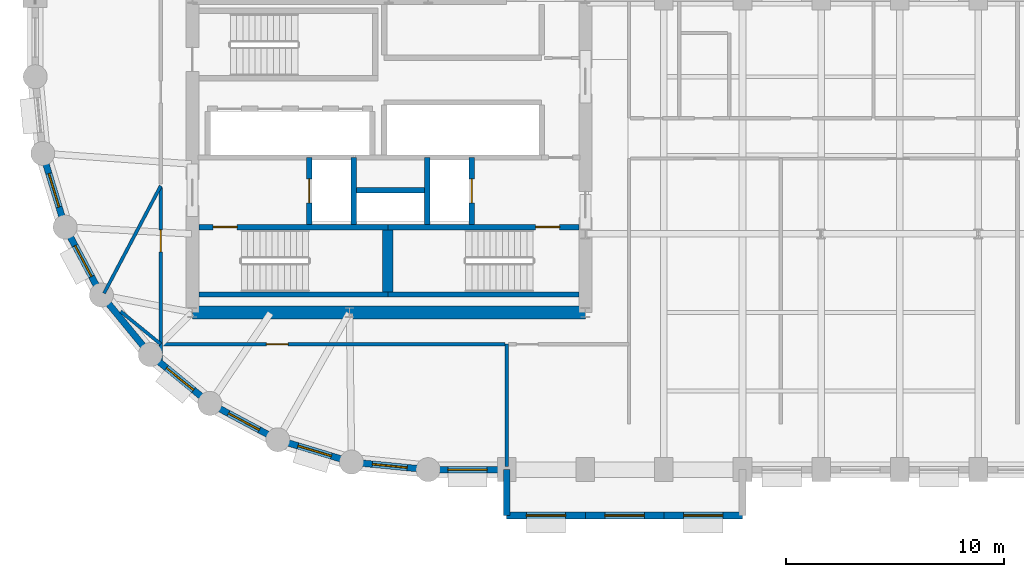
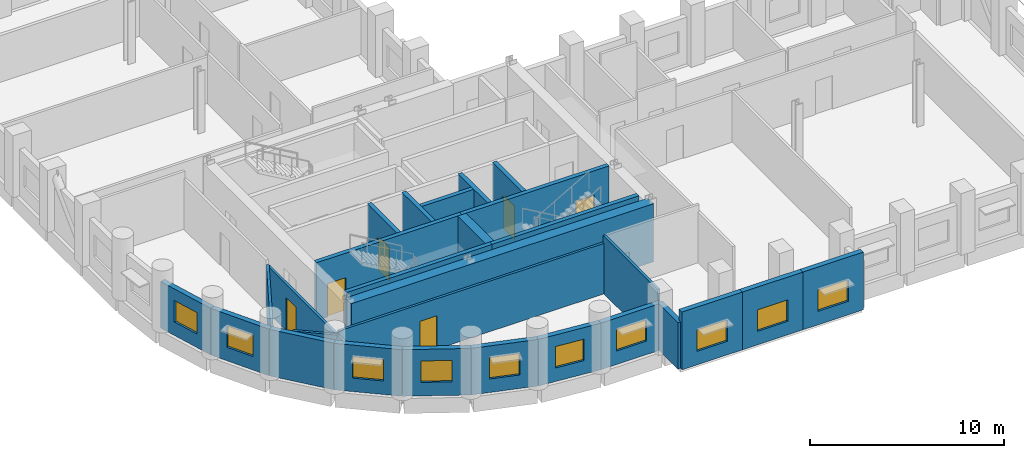
# One storey, part 3 of 10: 28 walls, 10 windows, 6 doors, 16 openings.
"""IFC4 building model written with IfcOpenShell, lengths in metres."""

from ifc_helpers import new_model, si_unit, direction, frame, frame_2d, origin, place, context, subcontext, project, spatial, rectangle, extrude, material, layer, layer_set, type_object, element, fill, save


model = new_model("IFC4")

# Units and contexts
model_context = context("Model", 3, precision=1e-05, world=origin(), true_north=direction((0.0, 1.0)))
body_context = subcontext(model_context, "Body", "Model", "MODEL_VIEW")
ifc_project = project(units=[si_unit("LENGTHUNIT", "METRE"), si_unit("AREAUNIT", "SQUARE_METRE"), si_unit("VOLUMEUNIT", "CUBIC_METRE"), si_unit("PLANEANGLEUNIT", "RADIAN"), si_unit("MASSUNIT", "GRAM", prefix="KILO")], contexts=[model_context])

# Site, building, storey
site_placement = place(None, origin())
site = spatial("IfcSite", under=ifc_project, at=site_placement, CompositionType="ELEMENT")
building_placement = place(site_placement, origin())
building = spatial("IfcBuilding", under=site, at=building_placement, Name="Solnavia Interchange Tower", CompositionType="ELEMENT")
storey_placement = place(building_placement, frame((0.0, 0.0, 103.5)))
storey = spatial("IfcBuildingStorey", under=building, at=storey_placement, Name="L25", CompositionType="ELEMENT", Elevation=103.5)

# Wall, opening, window
ifc_material_1 = material(Name="Concrete C40/50", Category="concrete")
ifc_layer_1 = layer(ifc_material_1, 0.300048828125)
ifc_layer_set_1 = layer_set([ifc_layer_1], Name="Concrete C40/50")
wall_type_1 = type_object("IfcWallType", Name="Wall-ExtSpandrel-300", PredefinedType="STANDARD", material=ifc_layer_set_1)
wall_1_placement = place(storey_placement, frame((28.800048828125, 3.60009765625, 0.0), z_axis=(0.0, 0.0, 1.0), x_axis=(-1.0, 0.0, 0.0)))
wall_1 = element("IfcWall", 1, at=wall_1_placement, inside=storey, type_object=wall_type_1, Name="EXW-L25-01 Exterior precast spandrel wall", PredefinedType="STANDARD", context=body_context, shape_type="SweptSolid", body=[
    extrude(rectangle(XDim=3.60009765625, YDim=0.300048828125, at=frame_2d((1.800048828125, 0.0))), origin(), (0.0, 0.0, 1.0), 2.929931640625),
])
opening_1_placement = place(wall_1_placement, frame((0.89990234375, 0.0, 0.85009765625)))
opening_1 = element("IfcOpeningElement", 2, at=opening_1_placement, cuts=wall_1, Name="Opening WIN-02", PredefinedType="OPENING", context=body_context, shape_type="SweptSolid", body=[
    extrude(rectangle(XDim=1.800048828125, YDim=1.35009765625, at=frame_2d((0.89990234375, 0.675048828125))), frame((0.0, 0.16015625, 0.0), z_axis=(0.0, -1.0, 0.0), x_axis=(1.0, 0.0, 0.0)), (0.0, 0.0, 1.0), 0.320068359375),
])
ifc_material_2 = material(Name="Thermal-Break Aluminium & Low-E Glass", Category="aluminium")
window_type_1 = type_object("IfcWindowType", Name="Window-Ribbon-1800x1350", PartitioningType="SINGLE_PANEL", PredefinedType="WINDOW", material=ifc_material_2)
window_1_placement = place(opening_1_placement, origin())
window_1 = element("IfcWindow", 3, at=window_1_placement, inside=storey, type_object=window_type_1, Name="WIN-L25-01 Facade ribbon window", OverallHeight=1.35009765625, OverallWidth=1.800048828125, PartitioningType="SINGLE_PANEL", PredefinedType="WINDOW", context=body_context, shape_type="SweptSolid", body=[
    extrude(rectangle(XDim=1.800048828125, YDim=1.35009765625, at=frame_2d((0.89990234375, 0.675048828125))), frame((0.0, 0.030029296875, 0.0), z_axis=(0.0, -1.0, 0.0), x_axis=(1.0, 0.0, 0.0)), (0.0, 0.0, 1.0), 0.06005859375),
])
fill(opening_1, window_1)

# Wall
wall_2_placement = place(storey_placement, frame((28.800048828125, 3.60009765625, 0.0), z_axis=(0.0, 0.0, 1.0), x_axis=(0.0, -1.0, 0.0)))
element("IfcWall", 4, at=wall_2_placement, inside=storey, type_object=wall_type_1, Name="EXW-L25-02 Exterior precast spandrel wall", PredefinedType="STANDARD", context=body_context, shape_type="SweptSolid", body=[
    extrude(rectangle(XDim=2.10009765625, YDim=0.300048828125, at=frame_2d((1.050048828125, 0.0))), origin(), (0.0, 0.0, 1.0), 2.929931640625),
])

# Wall, opening, window
wall_3_placement = place(storey_placement, frame((32.39990234375, 1.5, 0.0), z_axis=(0.0, 0.0, 1.0), x_axis=(-1.0, 0.0, 0.0)))
wall_3 = element("IfcWall", 5, at=wall_3_placement, inside=storey, type_object=wall_type_1, Name="EXW-L25-03 Exterior precast spandrel wall", PredefinedType="STANDARD", context=body_context, shape_type="SweptSolid", body=[
    extrude(rectangle(XDim=3.599853515625, YDim=0.300048828125, at=frame_2d((1.7998046875, 0.0))), origin(), (0.0, 0.0, 1.0), 3.635009765625),
])
opening_2_placement = place(wall_3_placement, frame((0.89990234375, 0.0, 0.85009765625)))
opening_2 = element("IfcOpeningElement", 6, at=opening_2_placement, cuts=wall_3, Name="Opening WIN-02", PredefinedType="OPENING", context=body_context, shape_type="SweptSolid", body=[
    extrude(rectangle(XDim=1.800048828125, YDim=1.35009765625, at=frame_2d((0.89990234375, 0.675048828125))), frame((0.0, 0.16015625, 0.0), z_axis=(0.0, -1.0, 0.0), x_axis=(1.0, 0.0, 0.0)), (0.0, 0.0, 1.0), 0.320068359375),
])
window_2_placement = place(opening_2_placement, origin())
window_2 = element("IfcWindow", 7, at=window_2_placement, inside=storey, type_object=window_type_1, Name="WIN-L25-03 Facade ribbon window", OverallHeight=1.35009765625, OverallWidth=1.800048828125, PartitioningType="SINGLE_PANEL", PredefinedType="WINDOW", context=body_context, shape_type="SweptSolid", body=[
    extrude(rectangle(XDim=1.800048828125, YDim=1.35009765625, at=frame_2d((0.89990234375, 0.675048828125))), frame((0.0, 0.030029296875, 0.0), z_axis=(0.0, -1.0, 0.0), x_axis=(1.0, 0.0, 0.0)), (0.0, 0.0, 1.0), 0.06005859375),
])
fill(opening_2, window_2)

wall_4_placement = place(storey_placement, frame((36.0, 1.5, 0.0), z_axis=(0.0, 0.0, 1.0), x_axis=(-1.0, 0.0, 0.0)))
wall_4 = element("IfcWall", 8, at=wall_4_placement, inside=storey, type_object=wall_type_1, Name="EXW-L25-04 Exterior precast spandrel wall", PredefinedType="STANDARD", context=body_context, shape_type="SweptSolid", body=[
    extrude(rectangle(XDim=3.60009765625, YDim=0.300048828125, at=frame_2d((1.800048828125, 0.0))), origin(), (0.0, 0.0, 1.0), 3.635009765625),
])
opening_3_placement = place(wall_4_placement, frame((0.89990234375, 0.0, 0.85009765625)))
opening_3 = element("IfcOpeningElement", 9, at=opening_3_placement, cuts=wall_4, Name="Opening WIN-02", PredefinedType="OPENING", context=body_context, shape_type="SweptSolid", body=[
    extrude(rectangle(XDim=1.800048828125, YDim=1.35009765625, at=frame_2d((0.89990234375, 0.675048828125))), frame((0.0, 0.16015625, 0.0), z_axis=(0.0, -1.0, 0.0), x_axis=(1.0, 0.0, 0.0)), (0.0, 0.0, 1.0), 0.320068359375),
])
window_3_placement = place(opening_3_placement, origin())
window_3 = element("IfcWindow", 10, at=window_3_placement, inside=storey, type_object=window_type_1, Name="WIN-L25-04 Facade ribbon window", OverallHeight=1.35009765625, OverallWidth=1.800048828125, PartitioningType="SINGLE_PANEL", PredefinedType="WINDOW", context=body_context, shape_type="SweptSolid", body=[
    extrude(rectangle(XDim=1.800048828125, YDim=1.35009765625, at=frame_2d((0.89990234375, 0.675048828125))), frame((0.0, 0.030029296875, 0.0), z_axis=(0.0, -1.0, 0.0), x_axis=(1.0, 0.0, 0.0)), (0.0, 0.0, 1.0), 0.06005859375),
])
fill(opening_3, window_3)

wall_5_placement = place(storey_placement, frame((39.60009765625, 1.5, 0.0), z_axis=(0.0, 0.0, 1.0), x_axis=(-1.0, 0.0, 0.0)))
wall_5 = element("IfcWall", 11, at=wall_5_placement, inside=storey, type_object=wall_type_1, Name="EXW-L25-05 Exterior precast spandrel wall", PredefinedType="STANDARD", context=body_context, shape_type="SweptSolid", body=[
    extrude(rectangle(XDim=3.60009765625, YDim=0.300048828125, at=frame_2d((1.800048828125, 0.0))), origin(), (0.0, 0.0, 1.0), 3.635009765625),
])
opening_4_placement = place(wall_5_placement, frame((0.89990234375, 0.0, 0.85009765625)))
opening_4 = element("IfcOpeningElement", 12, at=opening_4_placement, cuts=wall_5, Name="Opening WIN-02", PredefinedType="OPENING", context=body_context, shape_type="SweptSolid", body=[
    extrude(rectangle(XDim=1.800048828125, YDim=1.35009765625, at=frame_2d((0.89990234375, 0.675048828125))), frame((0.0, 0.16015625, 0.0), z_axis=(0.0, -1.0, 0.0), x_axis=(1.0, 0.0, 0.0)), (0.0, 0.0, 1.0), 0.320068359375),
])
window_4_placement = place(opening_4_placement, origin())
window_4 = element("IfcWindow", 13, at=window_4_placement, inside=storey, type_object=window_type_1, Name="WIN-L25-05 Facade ribbon window", OverallHeight=1.35009765625, OverallWidth=1.800048828125, PartitioningType="SINGLE_PANEL", PredefinedType="WINDOW", context=body_context, shape_type="SweptSolid", body=[
    extrude(rectangle(XDim=1.800048828125, YDim=1.35009765625, at=frame_2d((0.89990234375, 0.675048828125))), frame((0.0, 0.030029296875, 0.0), z_axis=(0.0, -1.0, 0.0), x_axis=(1.0, 0.0, 0.0)), (0.0, 0.0, 1.0), 0.06005859375),
])
fill(opening_4, window_4)

wall_6_placement = place(storey_placement, frame((8.570068359375, 14.7119140625, 0.0), z_axis=(0.0, 0.0, 1.0), x_axis=(-0.290305086481, 0.956934144423, 0.0)))
wall_6 = element("IfcWall", 14, at=wall_6_placement, inside=storey, type_object=wall_type_1, Name="EXW-L25-54 Exterior precast spandrel wall", PredefinedType="STANDARD", context=body_context, shape_type="SweptSolid", body=[
    extrude(rectangle(XDim=3.52783203125, YDim=0.300048828125, at=frame_2d((1.763916015625, 0.0))), origin(), (0.0, 0.0, 1.0), 2.929931640625),
])
opening_5_placement = place(wall_6_placement, frame((0.964111328125, 0.0, 0.85009765625)))
opening_5 = element("IfcOpeningElement", 15, at=opening_5_placement, cuts=wall_6, Name="Opening WIN-04", PredefinedType="OPENING", context=body_context, shape_type="SweptSolid", body=[
    extrude(rectangle(XDim=1.60009765625, YDim=1.35009765625, at=frame_2d((0.800048828125, 0.675048828125))), frame((0.0, 0.16015625, 0.0), z_axis=(0.0, -1.0, 0.0), x_axis=(1.0, 0.0, 0.0)), (0.0, 0.0, 1.0), 0.320068359375),
])
window_type_2 = type_object("IfcWindowType", Name="Window-Drum-1600x1350", PartitioningType="SINGLE_PANEL", PredefinedType="WINDOW", material=ifc_material_2)
window_5_placement = place(opening_5_placement, origin())
window_5 = element("IfcWindow", 16, at=window_5_placement, inside=storey, type_object=window_type_2, Name="WIN-L25-54 Facade ribbon window", OverallHeight=1.35009765625, OverallWidth=1.60009765625, PartitioningType="SINGLE_PANEL", PredefinedType="WINDOW", context=body_context, shape_type="SweptSolid", body=[
    extrude(rectangle(XDim=1.60009765625, YDim=1.35009765625, at=frame_2d((0.800048828125, 0.675048828125))), frame((0.0, 0.030029296875, 0.0), z_axis=(0.0, -1.0, 0.0), x_axis=(1.0, 0.0, 0.0)), (0.0, 0.0, 1.0), 0.06005859375),
])
fill(opening_5, window_5)

wall_7_placement = place(storey_placement, frame((10.23388671875, 11.60009765625, 0.0), z_axis=(0.0, 0.0, 1.0), x_axis=(-0.47151087309, 0.881860247748, 0.0)))
wall_7 = element("IfcWall", 17, at=wall_7_placement, inside=storey, type_object=wall_type_1, Name="EXW-L25-55 Exterior precast spandrel wall", PredefinedType="STANDARD", context=body_context, shape_type="SweptSolid", body=[
    extrude(rectangle(XDim=3.52880859375, YDim=0.300048828125, at=frame_2d((1.764404296875, 0.0))), origin(), (0.0, 0.0, 1.0), 2.929931640625),
])
opening_6_placement = place(wall_7_placement, frame((0.964111328125, 0.0, 0.85009765625)))
opening_6 = element("IfcOpeningElement", 18, at=opening_6_placement, cuts=wall_7, Name="Opening WIN-04", PredefinedType="OPENING", context=body_context, shape_type="SweptSolid", body=[
    extrude(rectangle(XDim=1.60009765625, YDim=1.35009765625, at=frame_2d((0.800048828125, 0.675048828125))), frame((0.0, 0.16015625, 0.0), z_axis=(0.0, -1.0, 0.0), x_axis=(1.0, 0.0, 0.0)), (0.0, 0.0, 1.0), 0.320068359375),
])
window_6_placement = place(opening_6_placement, origin())
window_6 = element("IfcWindow", 19, at=window_6_placement, inside=storey, type_object=window_type_2, Name="WIN-L25-55 Facade ribbon window", OverallHeight=1.35009765625, OverallWidth=1.60009765625, PartitioningType="SINGLE_PANEL", PredefinedType="WINDOW", context=body_context, shape_type="SweptSolid", body=[
    extrude(rectangle(XDim=1.60009765625, YDim=1.35009765625, at=frame_2d((0.800048828125, 0.675048828125))), frame((0.0, 0.030029296875, 0.0), z_axis=(0.0, -1.0, 0.0), x_axis=(1.0, 0.0, 0.0)), (0.0, 0.0, 1.0), 0.06005859375),
])
fill(opening_6, window_6)

# Wall
wall_8_placement = place(storey_placement, frame((12.471923828125, 8.8720703125, 0.0), z_axis=(0.0, 0.0, 1.0), x_axis=(-0.634258295121, 0.773121216285, 0.0)))
element("IfcWall", 20, at=wall_8_placement, inside=storey, type_object=wall_type_1, Name="EXW-L25-56 Exterior precast spandrel wall", PredefinedType="STANDARD", context=body_context, shape_type="SweptSolid", body=[
    extrude(rectangle(XDim=3.528564453125, YDim=0.300048828125, at=frame_2d((1.76416015625, 0.0))), origin(), (0.0, 0.0, 1.0), 2.929931640625),
])

# Wall, opening, window
wall_9_placement = place(storey_placement, frame((15.199951171875, 6.634033203125, 0.0), z_axis=(0.0, 0.0, 1.0), x_axis=(-0.773121216285, 0.634258295121, 0.0)))
wall_9 = element("IfcWall", 21, at=wall_9_placement, inside=storey, type_object=wall_type_1, Name="EXW-L25-57 Exterior precast spandrel wall", PredefinedType="STANDARD", context=body_context, shape_type="SweptSolid", body=[
    extrude(rectangle(XDim=3.528564453125, YDim=0.300048828125, at=frame_2d((1.76416015625, 0.0))), origin(), (0.0, 0.0, 1.0), 2.929931640625),
])
opening_7_placement = place(wall_9_placement, frame((0.964111328125, 0.0, 0.85009765625)))
opening_7 = element("IfcOpeningElement", 22, at=opening_7_placement, cuts=wall_9, Name="Opening WIN-04", PredefinedType="OPENING", context=body_context, shape_type="SweptSolid", body=[
    extrude(rectangle(XDim=1.60009765625, YDim=1.35009765625, at=frame_2d((0.800048828125, 0.675048828125))), frame((0.0, 0.16015625, 0.0), z_axis=(0.0, -1.0, 0.0), x_axis=(1.0, 0.0, 0.0)), (0.0, 0.0, 1.0), 0.320068359375),
])
window_7_placement = place(opening_7_placement, origin())
window_7 = element("IfcWindow", 23, at=window_7_placement, inside=storey, type_object=window_type_2, Name="WIN-L25-57 Facade ribbon window", OverallHeight=1.35009765625, OverallWidth=1.60009765625, PartitioningType="SINGLE_PANEL", PredefinedType="WINDOW", context=body_context, shape_type="SweptSolid", body=[
    extrude(rectangle(XDim=1.60009765625, YDim=1.35009765625, at=frame_2d((0.800048828125, 0.675048828125))), frame((0.0, 0.030029296875, 0.0), z_axis=(0.0, -1.0, 0.0), x_axis=(1.0, 0.0, 0.0)), (0.0, 0.0, 1.0), 0.06005859375),
])
fill(opening_7, window_7)

wall_10_placement = place(storey_placement, frame((18.31201171875, 4.969970703125, 0.0), z_axis=(0.0, 0.0, 1.0), x_axis=(-0.881846862014, 0.471535907389, 0.0)))
wall_10 = element("IfcWall", 24, at=wall_10_placement, inside=storey, type_object=wall_type_1, Name="EXW-L25-58 Exterior precast spandrel wall", PredefinedType="STANDARD", context=body_context, shape_type="SweptSolid", body=[
    extrude(rectangle(XDim=3.529052734375, YDim=0.300048828125, at=frame_2d((1.7646484375, 0.0))), origin(), (0.0, 0.0, 1.0), 2.929931640625),
])
opening_8_placement = place(wall_10_placement, frame((0.964111328125, 0.0, 0.85009765625)))
opening_8 = element("IfcOpeningElement", 25, at=opening_8_placement, cuts=wall_10, Name="Opening WIN-04", PredefinedType="OPENING", context=body_context, shape_type="SweptSolid", body=[
    extrude(rectangle(XDim=1.60009765625, YDim=1.35009765625, at=frame_2d((0.800048828125, 0.675048828125))), frame((0.0, 0.16015625, 0.0), z_axis=(0.0, -1.0, 0.0), x_axis=(1.0, 0.0, 0.0)), (0.0, 0.0, 1.0), 0.320068359375),
])
window_8_placement = place(opening_8_placement, origin())
window_8 = element("IfcWindow", 26, at=window_8_placement, inside=storey, type_object=window_type_2, Name="WIN-L25-58 Facade ribbon window", OverallHeight=1.35009765625, OverallWidth=1.60009765625, PartitioningType="SINGLE_PANEL", PredefinedType="WINDOW", context=body_context, shape_type="SweptSolid", body=[
    extrude(rectangle(XDim=1.60009765625, YDim=1.35009765625, at=frame_2d((0.800048828125, 0.675048828125))), frame((0.0, 0.030029296875, 0.0), z_axis=(0.0, -1.0, 0.0), x_axis=(1.0, 0.0, 0.0)), (0.0, 0.0, 1.0), 0.06005859375),
])
fill(opening_8, window_8)

wall_11_placement = place(storey_placement, frame((21.68798828125, 3.946044921875, 0.0), z_axis=(0.0, 0.0, 1.0), x_axis=(-0.956953367403, 0.290241714123, 0.0)))
wall_11 = element("IfcWall", 27, at=wall_11_placement, inside=storey, type_object=wall_type_1, Name="EXW-L25-59 Exterior precast spandrel wall", PredefinedType="STANDARD", context=body_context, shape_type="SweptSolid", body=[
    extrude(rectangle(XDim=3.52783203125, YDim=0.300048828125, at=frame_2d((1.763916015625, 0.0))), origin(), (0.0, 0.0, 1.0), 2.929931640625),
])
opening_9_placement = place(wall_11_placement, frame((0.964111328125, 0.0, 0.85009765625)))
opening_9 = element("IfcOpeningElement", 28, at=opening_9_placement, cuts=wall_11, Name="Opening WIN-04", PredefinedType="OPENING", context=body_context, shape_type="SweptSolid", body=[
    extrude(rectangle(XDim=1.60009765625, YDim=1.35009765625, at=frame_2d((0.800048828125, 0.675048828125))), frame((0.0, 0.16015625, 0.0), z_axis=(0.0, -1.0, 0.0), x_axis=(1.0, 0.0, 0.0)), (0.0, 0.0, 1.0), 0.320068359375),
])
window_9_placement = place(opening_9_placement, origin())
window_9 = element("IfcWindow", 29, at=window_9_placement, inside=storey, type_object=window_type_2, Name="WIN-L25-59 Facade ribbon window", OverallHeight=1.35009765625, OverallWidth=1.60009765625, PartitioningType="SINGLE_PANEL", PredefinedType="WINDOW", context=body_context, shape_type="SweptSolid", body=[
    extrude(rectangle(XDim=1.60009765625, YDim=1.35009765625, at=frame_2d((0.800048828125, 0.675048828125))), frame((0.0, 0.030029296875, 0.0), z_axis=(0.0, -1.0, 0.0), x_axis=(1.0, 0.0, 0.0)), (0.0, 0.0, 1.0), 0.06005859375),
])
fill(opening_9, window_9)

wall_12_placement = place(storey_placement, frame((25.199951171875, 3.60009765625, 0.0), z_axis=(0.0, 0.0, 1.0), x_axis=(-0.995183369056, 0.098030923459, 0.0)))
wall_12 = element("IfcWall", 30, at=wall_12_placement, inside=storey, type_object=wall_type_1, Name="EXW-L25-60 Exterior precast spandrel wall", PredefinedType="STANDARD", context=body_context, shape_type="SweptSolid", body=[
    extrude(rectangle(XDim=3.529052734375, YDim=0.300048828125, at=frame_2d((1.7646484375, 0.0))), origin(), (0.0, 0.0, 1.0), 2.929931640625),
])
opening_10_placement = place(wall_12_placement, frame((0.965087890625, 0.0, 0.85009765625)))
opening_10 = element("IfcOpeningElement", 31, at=opening_10_placement, cuts=wall_12, Name="Opening WIN-04", PredefinedType="OPENING", context=body_context, shape_type="SweptSolid", body=[
    extrude(rectangle(XDim=1.60009765625, YDim=1.35009765625, at=frame_2d((0.800048828125, 0.675048828125))), frame((0.0, 0.16015625, 0.0), z_axis=(0.0, -1.0, 0.0), x_axis=(1.0, 0.0, 0.0)), (0.0, 0.0, 1.0), 0.320068359375),
])
window_10_placement = place(opening_10_placement, origin())
window_10 = element("IfcWindow", 32, at=window_10_placement, inside=storey, type_object=window_type_2, Name="WIN-L25-60 Facade ribbon window", OverallHeight=1.35009765625, OverallWidth=1.60009765625, PartitioningType="SINGLE_PANEL", PredefinedType="WINDOW", context=body_context, shape_type="SweptSolid", body=[
    extrude(rectangle(XDim=1.60009765625, YDim=1.35009765625, at=frame_2d((0.800048828125, 0.675048828125))), frame((0.0, 0.030029296875, 0.0), z_axis=(0.0, -1.0, 0.0), x_axis=(1.0, 0.0, 0.0)), (0.0, 0.0, 1.0), 0.06005859375),
])
fill(opening_10, window_10)

# Walls
ifc_material_3 = material(Name="Gypsum Plasterboard & Steel Stud", Category="steel")
ifc_layer_2 = layer(ifc_material_3, 0.14990234375)
ifc_layer_set_2 = layer_set([ifc_layer_2], Name="Gypsum Plasterboard & Steel Stud")
wall_type_2 = type_object("IfcWallType", Name="Wall-Partition-150", PredefinedType="PARTITIONING", material=ifc_layer_set_2)
wall_13_placement = place(storey_placement, frame((28.800048828125, 9.35009765625, 0.0), z_axis=(0.0, 0.0, 1.0), x_axis=(0.0, -1.0, 0.0)))
element("IfcWall", 33, at=wall_13_placement, inside=storey, type_object=wall_type_2, Name="PTW-L25-08 Interior partition wall", PredefinedType="PARTITIONING", context=body_context, shape_type="SweptSolid", body=[
    extrude(rectangle(XDim=5.59619140625, YDim=0.14990234375, at=frame_2d((2.798095703125, 0.0))), origin(), (0.0, 0.0, 1.0), 3.635009765625),
])
wall_14_placement = place(storey_placement, frame((12.949951171875, 9.35009765625, 0.0), z_axis=(0.0, 0.0, 1.0), x_axis=(-0.774315108081, 0.632800216022, 0.0)))
element("IfcWall", 34, at=wall_14_placement, inside=storey, type_object=wall_type_2, Name="PTW-L25-09 Interior partition wall", PredefinedType="PARTITIONING", context=body_context, shape_type="SweptSolid", body=[
    extrude(rectangle(XDim=2.370361328125, YDim=0.14990234375, at=frame_2d((1.18505859375, 0.0))), origin(), (0.0, 0.0, 1.0), 2.929931640625),
])
wall_15_placement = place(storey_placement, frame((12.949951171875, 16.60009765625, 0.0), z_axis=(0.0, 0.0, 1.0), x_axis=(-0.466710911312, -0.884409930554, 0.0)))
element("IfcWall", 35, at=wall_15_placement, inside=storey, type_object=wall_type_2, Name="PTW-L25-10 Interior partition wall", PredefinedType="PARTITIONING", context=body_context, shape_type="SweptSolid", body=[
    extrude(rectangle(XDim=5.55908203125, YDim=0.14990234375, at=frame_2d((2.779541015625, 0.0))), origin(), (0.0, 0.0, 1.0), 2.929931640625),
])

# Wall, opening, door
wall_16_placement = place(storey_placement, frame((12.949951171875, 8.6337890625, 0.0), z_axis=(0.0, 0.0, 1.0), x_axis=(0.0, 1.0, 0.0)))
wall_16 = element("IfcWall", 36, at=wall_16_placement, inside=storey, type_object=wall_type_2, Name="PTW-L25-12 Interior partition wall", PredefinedType="PARTITIONING", context=body_context, shape_type="SweptSolid", body=[
    extrude(rectangle(XDim=7.88720703125, YDim=0.14990234375, at=frame_2d((3.943603515625, 0.0))), origin(), (0.0, 0.0, 1.0), 2.929931640625),
])
opening_11_placement = place(wall_16_placement, frame((4.947021484375, 0.0, 0.0)))
opening_11 = element("IfcOpeningElement", 37, at=opening_11_placement, cuts=wall_16, Name="Opening DR-07", PredefinedType="OPENING", context=body_context, shape_type="SweptSolid", body=[
    extrude(rectangle(XDim=1.0, YDim=2.10009765625, at=frame_2d((0.5, 1.050048828125))), frame((0.0, 0.0849609375, 0.0), z_axis=(0.0, -1.0, 0.0), x_axis=(1.0, 0.0, 0.0)), (0.0, 0.0, 1.0), 0.169921875),
])
ifc_material_4 = material(Name="Timber & Acoustic Glazed Office Door", Category="wood")
door_type_1 = type_object("IfcDoorType", Name="Door-Office-1000x2100", OperationType="SINGLE_SWING_RIGHT", PredefinedType="DOOR", material=ifc_material_4)
door_1_placement = place(opening_11_placement, origin())
door_1 = element("IfcDoor", 38, at=door_1_placement, inside=storey, type_object=door_type_1, Name="DR-L25-04 Interior room door", OperationType="SINGLE_SWING_RIGHT", OverallHeight=2.10009765625, OverallWidth=1.0, PredefinedType="DOOR", context=body_context, shape_type="SweptSolid", body=[
    extrude(rectangle(XDim=1.0, YDim=2.10009765625, at=frame_2d((0.5, 1.050048828125))), frame((0.0, 0.02490234375, 0.0), z_axis=(0.0, -1.0, 0.0), x_axis=(1.0, 0.0, 0.0)), (0.0, 0.0, 1.0), 0.050048828125),
])
fill(opening_11, door_1)

wall_17_placement = place(storey_placement, frame((12.949951171875, 9.35009765625, 0.0), z_axis=(0.0, 0.0, 1.0), x_axis=(1.0, 0.0, 0.0)))
wall_17 = element("IfcWall", 39, at=wall_17_placement, inside=storey, type_object=wall_type_2, Name="PTW-L25-13 Interior partition wall", PredefinedType="PARTITIONING", context=body_context, shape_type="SweptSolid", body=[
    extrude(rectangle(XDim=15.77099609375, YDim=0.14990234375, at=frame_2d((7.885498046875, 0.0))), origin(), (0.0, 0.0, 1.0), 3.179931640625),
])
opening_12_placement = place(wall_17_placement, frame((4.8359375, 0.0, 0.0)))
opening_12 = element("IfcOpeningElement", 40, at=opening_12_placement, cuts=wall_17, Name="Opening DR-07", PredefinedType="OPENING", context=body_context, shape_type="SweptSolid", body=[
    extrude(rectangle(XDim=1.0, YDim=2.10009765625, at=frame_2d((0.5, 1.050048828125))), frame((0.0, 0.0849609375, 0.0), z_axis=(0.0, -1.0, 0.0), x_axis=(1.0, 0.0, 0.0)), (0.0, 0.0, 1.0), 0.169921875),
])
door_2_placement = place(opening_12_placement, origin())
door_2 = element("IfcDoor", 41, at=door_2_placement, inside=storey, type_object=door_type_1, Name="DR-L25-05 Interior room door", OperationType="SINGLE_SWING_LEFT", OverallHeight=2.10009765625, OverallWidth=1.0, PredefinedType="DOOR", context=body_context, shape_type="SweptSolid", body=[
    extrude(rectangle(XDim=1.0, YDim=2.10009765625, at=frame_2d((0.5, 1.050048828125))), frame((0.0, 0.02490234375, 0.0), z_axis=(0.0, -1.0, 0.0), x_axis=(1.0, 0.0, 0.0)), (0.0, 0.0, 1.0), 0.050048828125),
])
fill(opening_12, door_2)

# Wall
ifc_layer_3 = layer(ifc_material_1, 0.25)
ifc_layer_set_3 = layer_set([ifc_layer_3], Name="Concrete C40/50")
wall_type_3 = type_object("IfcWallType", Name="Wall-ShaftCore-250", PredefinedType="SHEAR", material=ifc_layer_set_3)
wall_18_placement = place(storey_placement, frame((14.699951171875, 11.625, 0.0), z_axis=(0.0, 0.0, 1.0), x_axis=(1.0, 0.0, 0.0)))
element("IfcWall", 42, at=wall_18_placement, inside=storey, type_object=wall_type_3, Name="SHW-L25-ST1S Core shear wall", PredefinedType="SHEAR", context=body_context, shape_type="SweptSolid", body=[
    extrude(rectangle(XDim=8.650146484375, YDim=0.25, at=frame_2d((4.3251953125, 0.0))), origin(), (0.0, 0.0, 1.0), 3.64990234375),
])

# Wall, opening, door
wall_19_placement = place(storey_placement, frame((14.699951171875, 14.715087890625, 0.0), z_axis=(0.0, 0.0, 1.0), x_axis=(1.0, 0.0, 0.0)))
wall_19 = element("IfcWall", 43, at=wall_19_placement, inside=storey, type_object=wall_type_3, Name="SHW-L25-ST1N Core shear wall", PredefinedType="SHEAR", context=body_context, shape_type="SweptSolid", body=[
    extrude(rectangle(XDim=8.650146484375, YDim=0.25, at=frame_2d((4.3251953125, 0.0))), origin(), (0.0, 0.0, 1.0), 3.64990234375),
])
opening_13_placement = place(wall_19_placement, frame((0.655029296875, 0.0, 0.0)))
opening_13 = element("IfcOpeningElement", 44, at=opening_13_placement, cuts=wall_19, Name="Opening DR-01", PredefinedType="OPENING", context=body_context, shape_type="SweptSolid", body=[
    extrude(rectangle(XDim=1.10009765625, YDim=2.10009765625, at=frame_2d((0.550048828125, 1.050048828125))), frame((0.0, 0.135009765625, 0.0), z_axis=(0.0, -1.0, 0.0), x_axis=(1.0, 0.0, 0.0)), (0.0, 0.0, 1.0), 0.27001953125),
])
ifc_material_5 = material(Name="Steel Fire-Rated Leaf & Frame", Category="steel")
door_type_2 = type_object("IfcDoorType", Name="Door-StairFire-1100x2100", OperationType="SINGLE_SWING_LEFT", PredefinedType="DOOR", material=ifc_material_5)
door_3_placement = place(opening_13_placement, origin())
door_3 = element("IfcDoor", 45, at=door_3_placement, inside=storey, type_object=door_type_2, Name="DR-L25-ST1 Core fire door", OperationType="SINGLE_SWING_LEFT", OverallHeight=2.10009765625, OverallWidth=1.10009765625, PredefinedType="DOOR", context=body_context, shape_type="SweptSolid", body=[
    extrude(rectangle(XDim=1.10009765625, YDim=2.10009765625, at=frame_2d((0.550048828125, 1.050048828125))), frame((0.0, 0.02490234375, 0.0), z_axis=(0.0, -1.0, 0.0), x_axis=(1.0, 0.0, 0.0)), (0.0, 0.0, 1.0), 0.050048828125),
])
fill(opening_13, door_3)

# Wall
wall_20_placement = place(storey_placement, frame((23.35009765625, 11.625, 0.0), z_axis=(0.0, 0.0, 1.0), x_axis=(1.0, 0.0, 0.0)))
element("IfcWall", 46, at=wall_20_placement, inside=storey, type_object=wall_type_3, Name="SHW-L25-ST2S Core shear wall", PredefinedType="SHEAR", context=body_context, shape_type="SweptSolid", body=[
    extrude(rectangle(XDim=8.75, YDim=0.25, at=frame_2d((4.375, 0.0))), origin(), (0.0, 0.0, 1.0), 3.64990234375),
])

# Wall, opening, door
wall_21_placement = place(storey_placement, frame((23.35009765625, 14.715087890625, 0.0), z_axis=(0.0, 0.0, 1.0), x_axis=(1.0, 0.0, 0.0)))
wall_21 = element("IfcWall", 47, at=wall_21_placement, inside=storey, type_object=wall_type_3, Name="SHW-L25-ST2N Core shear wall", PredefinedType="SHEAR", context=body_context, shape_type="SweptSolid", body=[
    extrude(rectangle(XDim=8.75, YDim=0.25, at=frame_2d((4.375, 0.0))), origin(), (0.0, 0.0, 1.0), 3.64990234375),
])
opening_14_placement = place(wall_21_placement, frame((6.77490234375, 0.0, 0.0)))
opening_14 = element("IfcOpeningElement", 48, at=opening_14_placement, cuts=wall_21, Name="Opening DR-01", PredefinedType="OPENING", context=body_context, shape_type="SweptSolid", body=[
    extrude(rectangle(XDim=1.10009765625, YDim=2.10009765625, at=frame_2d((0.550048828125, 1.050048828125))), frame((0.0, 0.135009765625, 0.0), z_axis=(0.0, -1.0, 0.0), x_axis=(1.0, 0.0, 0.0)), (0.0, 0.0, 1.0), 0.27001953125),
])
door_4_placement = place(opening_14_placement, origin())
door_4 = element("IfcDoor", 49, at=door_4_placement, inside=storey, type_object=door_type_2, Name="DR-L25-ST2 Core fire door", OperationType="SINGLE_SWING_LEFT", OverallHeight=2.10009765625, OverallWidth=1.10009765625, PredefinedType="DOOR", context=body_context, shape_type="SweptSolid", body=[
    extrude(rectangle(XDim=1.10009765625, YDim=2.10009765625, at=frame_2d((0.550048828125, 1.050048828125))), frame((0.0, 0.02490234375, 0.0), z_axis=(0.0, -1.0, 0.0), x_axis=(1.0, 0.0, 0.0)), (0.0, 0.0, 1.0), 0.050048828125),
])
fill(opening_14, door_4)

ifc_layer_4 = layer(ifc_material_1, 0.25)
ifc_layer_set_4 = layer_set([ifc_layer_4], Name="Concrete C40/50")
wall_type_4 = type_object("IfcWallType", Name="Wall-ShaftPart-250", PredefinedType="PARTITIONING", material=ifc_layer_set_4)
wall_22_placement = place(storey_placement, frame((19.75, 14.840087890625, 0.0), z_axis=(0.0, 0.0, 1.0), x_axis=(0.0, 1.0, 0.0)))
wall_22 = element("IfcWall", 50, at=wall_22_placement, inside=storey, type_object=wall_type_4, Name="SHW-L25-FFL1-W Core shaft wall", PredefinedType="PARTITIONING", context=body_context, shape_type="SweptSolid", body=[
    extrude(rectangle(XDim=3.059814453125, YDim=0.25, at=frame_2d((1.52978515625, 0.0))), origin(), (0.0, 0.0, 1.0), 3.635009765625),
])
opening_15_placement = place(wall_22_placement, frame((0.97998046875, 0.0, 0.0)))
opening_15 = element("IfcOpeningElement", 51, at=opening_15_placement, cuts=wall_22, Name="Opening LD-01", PredefinedType="OPENING", context=body_context, shape_type="SweptSolid", body=[
    extrude(rectangle(XDim=1.10009765625, YDim=2.10009765625, at=frame_2d((0.550048828125, 1.050048828125))), frame((0.0, 0.135009765625, 0.0), z_axis=(0.0, -1.0, 0.0), x_axis=(1.0, 0.0, 0.0)), (0.0, 0.0, 1.0), 0.27001953125),
])
ifc_material_6 = material(Name="Brushed Stainless Steel Sliding Door", Category="steel")
door_type_3 = type_object("IfcDoorType", Name="Door-LiftLanding-1100x2100", OperationType="SLIDING_TO_LEFT", PredefinedType="DOOR", material=ifc_material_6)
door_5_placement = place(opening_15_placement, origin())
door_5 = element("IfcDoor", 52, at=door_5_placement, inside=storey, type_object=door_type_3, Name="LD-L25-FFL1 Lift landing sliding door", OperationType="SLIDING_TO_LEFT", OverallHeight=2.10009765625, OverallWidth=1.10009765625, PredefinedType="DOOR", context=body_context, shape_type="SweptSolid", body=[
    extrude(rectangle(XDim=1.10009765625, YDim=2.10009765625, at=frame_2d((0.550048828125, 1.050048828125))), frame((0.0, 0.02490234375, 0.0), z_axis=(0.0, -1.0, 0.0), x_axis=(1.0, 0.0, 0.0)), (0.0, 0.0, 1.0), 0.050048828125),
])
fill(opening_15, door_5)

# Walls
for number, where, z_axis, x_axis, name in (
    (53, (21.800048828125, 14.840087890625, 0.0), (0.0, 0.0, 1.0), (0.0, 1.0, 0.0), "SHW-L25-FFL1-E Core shaft wall"),
    (54, (25.14990234375, 14.840087890625, 0.0), (0.0, 0.0, 1.0), (0.0, 1.0, 0.0), "SHW-L25-FFL2-W Core shaft wall"),
):
    element("IfcWall", number, at=place(storey_placement, frame(where, z_axis=z_axis, x_axis=x_axis)), inside=storey, type_object=wall_type_4, Name=name, PredefinedType="PARTITIONING", context=body_context, shape_type="SweptSolid", body=[
        extrude(rectangle(XDim=3.059814453125, YDim=0.25, at=frame_2d((1.52978515625, 0.0))), origin(), (0.0, 0.0, 1.0), 3.635009765625),
    ])

# Wall, opening, door
wall_23_placement = place(storey_placement, frame((27.199951171875, 14.840087890625, 0.0), z_axis=(0.0, 0.0, 1.0), x_axis=(0.0, 1.0, 0.0)))
wall_23 = element("IfcWall", 55, at=wall_23_placement, inside=storey, type_object=wall_type_4, Name="SHW-L25-FFL2-E Core shaft wall", PredefinedType="PARTITIONING", context=body_context, shape_type="SweptSolid", body=[
    extrude(rectangle(XDim=3.059814453125, YDim=0.25, at=frame_2d((1.52978515625, 0.0))), origin(), (0.0, 0.0, 1.0), 3.635009765625),
])
opening_16_placement = place(wall_23_placement, frame((0.97998046875, 0.0, 0.0)))
opening_16 = element("IfcOpeningElement", 56, at=opening_16_placement, cuts=wall_23, Name="Opening LD-01", PredefinedType="OPENING", context=body_context, shape_type="SweptSolid", body=[
    extrude(rectangle(XDim=1.10009765625, YDim=2.10009765625, at=frame_2d((0.550048828125, 1.050048828125))), frame((0.0, 0.135009765625, 0.0), z_axis=(0.0, -1.0, 0.0), x_axis=(1.0, 0.0, 0.0)), (0.0, 0.0, 1.0), 0.27001953125),
])
door_6_placement = place(opening_16_placement, origin())
door_6 = element("IfcDoor", 57, at=door_6_placement, inside=storey, type_object=door_type_3, Name="LD-L25-FFL2 Lift landing sliding door", OperationType="SLIDING_TO_LEFT", OverallHeight=2.10009765625, OverallWidth=1.10009765625, PredefinedType="DOOR", context=body_context, shape_type="SweptSolid", body=[
    extrude(rectangle(XDim=1.10009765625, YDim=2.10009765625, at=frame_2d((0.550048828125, 1.050048828125))), frame((0.0, 0.02490234375, 0.0), z_axis=(0.0, -1.0, 0.0), x_axis=(1.0, 0.0, 0.0)), (0.0, 0.0, 1.0), 0.050048828125),
])
fill(opening_16, door_6)

# Walls
wall_24_placement = place(storey_placement, frame((21.800048828125, 16.39990234375, 0.0), z_axis=(0.0, 0.0, 1.0), x_axis=(1.0, 0.0, 0.0)))
element("IfcWall", 58, at=wall_24_placement, inside=storey, type_object=wall_type_4, Name="SHW-L25-MEP-N Core shaft wall", PredefinedType="PARTITIONING", context=body_context, shape_type="SweptSolid", body=[
    extrude(rectangle(XDim=3.349853515625, YDim=0.25, at=frame_2d((1.6748046875, 0.0))), origin(), (0.0, 0.0, 1.0), 3.635009765625),
])
ifc_material_7 = material(Name="Concrete C60/75", Category="concrete")
ifc_layer_5 = layer(ifc_material_7, 0.5)
ifc_layer_set_5 = layer_set([ifc_layer_5], Name="Concrete C60/75")
wall_type_5 = type_object("IfcWallType", Name="Wall-ShearCore-500", PredefinedType="SHEAR", material=ifc_layer_set_5)
wall_25_placement = place(storey_placement, frame((23.35009765625, 11.75, 0.0), z_axis=(0.0, 0.0, 1.0), x_axis=(0.0, 1.0, 0.0)))
element("IfcWall", 59, at=wall_25_placement, inside=storey, type_object=wall_type_5, Name="SHW-L25-ST12M Core shear wall", PredefinedType="SHEAR", context=body_context, shape_type="SweptSolid", body=[
    extrude(rectangle(XDim=2.840087890625, YDim=0.5, at=frame_2d((1.419921875, 0.0))), origin(), (0.0, 0.0, 1.0), 3.64990234375),
])
ifc_layer_6 = layer(ifc_material_7, 0.60009765625)
ifc_layer_set_6 = layer_set([ifc_layer_6], Name="Concrete C60/75")
wall_type_6 = type_object("IfcWallType", Name="Wall-ShearCore-600", PredefinedType="SHEAR", material=ifc_layer_set_6)
wall_26_placement = place(storey_placement, frame((14.39990234375, 10.800048828125, 0.0), z_axis=(0.0, 0.0, 1.0), x_axis=(1.0, 0.0, 0.0)))
element("IfcWall", 60, at=wall_26_placement, inside=storey, type_object=wall_type_6, Name="CRW-L25-S Core shear wall", PredefinedType="SHEAR", context=body_context, shape_type="SweptSolid", body=[
    extrude(rectangle(XDim=18.0, YDim=0.60009765625, at=frame_2d((9.0, 0.0))), origin(), (0.0, 0.0, 1.0), 3.64990234375),
])

save(model, "model.ifc")
